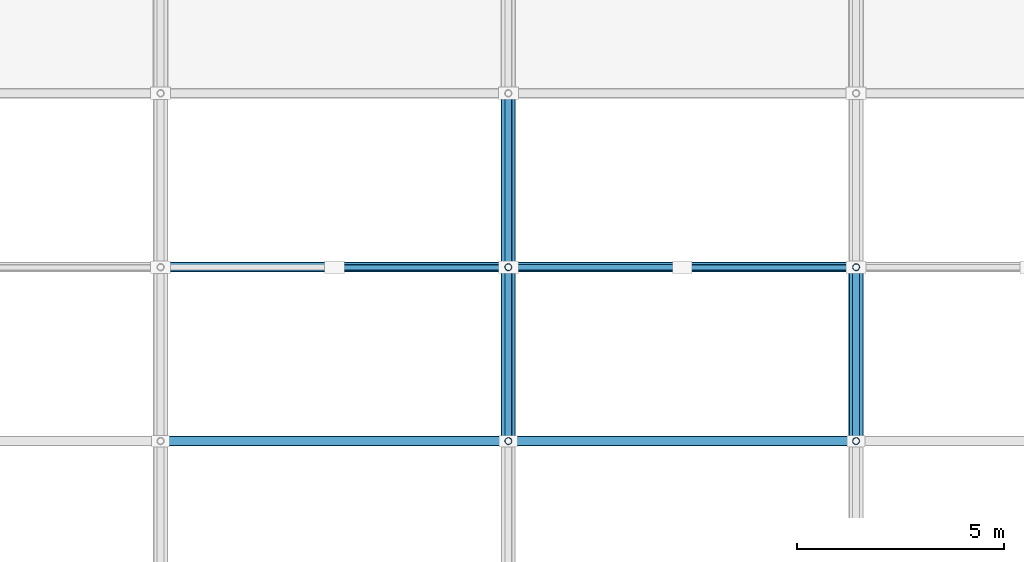
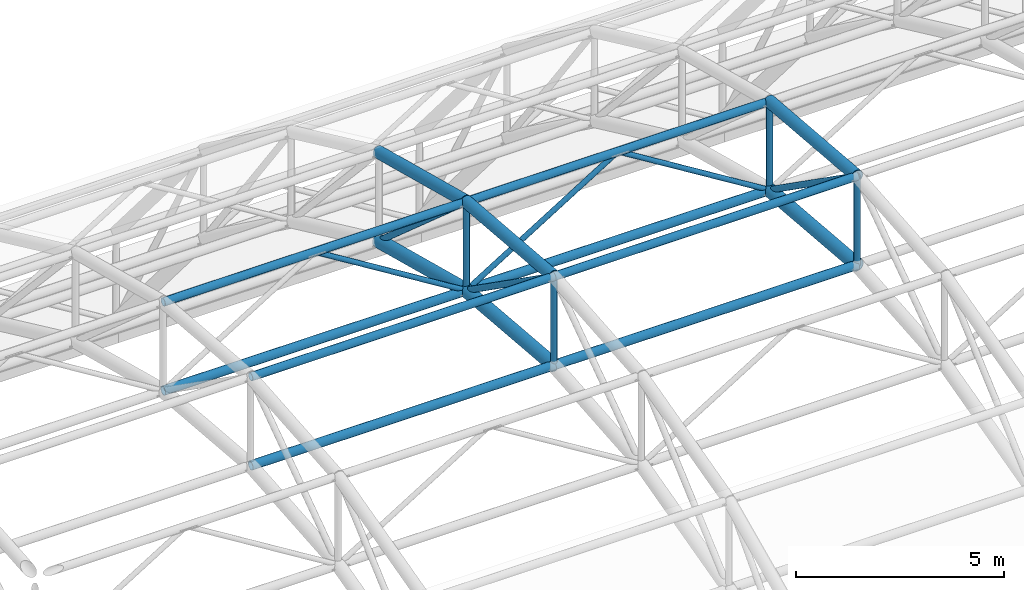
# One storey, part 37 of 103: 18 members, 6 beams.
"""IFC4 building model written with IfcOpenShell, lengths in metres."""

from ifc_helpers import new_model, si_unit, direction, frame, origin, origin_2d, place, context, subcontext, project, spatial, hollow_circle, extrude, material, material_profile, profile_set, type_object, element, save


model = new_model("IFC4")

# Units and contexts
model_context = context("Model", 3, precision=1e-05, world=origin(), true_north=direction((0.0, 1.0)))
body_context = subcontext(model_context, "Body", "Model", "MODEL_VIEW")
ifc_project = project(units=[si_unit("LENGTHUNIT", "METRE"), si_unit("AREAUNIT", "SQUARE_METRE"), si_unit("VOLUMEUNIT", "CUBIC_METRE"), si_unit("PLANEANGLEUNIT", "RADIAN"), si_unit("MASSUNIT", "GRAM", prefix="KILO")], contexts=[model_context])

# Site, building, storey
site_placement = place(None, origin())
site = spatial("IfcSite", under=ifc_project, at=site_placement, CompositionType="ELEMENT")
building_placement = place(site_placement, origin())
building = spatial("IfcBuilding", under=site, at=building_placement, Name="Varnapada Polytechnic", CompositionType="ELEMENT")
storey_placement = place(building_placement, frame((0.0, 0.0, 18.0)))
storey = spatial("IfcBuildingStorey", under=building, at=storey_placement, Name="L04", CompositionType="ELEMENT", Elevation=18.0)

# Members
ifc_material = material(Name="Steel S355", Category="steel")
ifc_material_profile_1 = material_profile(ifc_material, hollow_circle(Radius=0.122314453125, WallThickness=0.008056640625, at=origin_2d()), Name="CHS 244.5x8.0")
ifc_profile_set_1 = profile_set([ifc_material_profile_1], Name="Steel S355")
member_type_1 = type_object("IfcMemberType", Name="Vaulted space frame longitudinal bottom chord SFC-01 (CHS 244.5x8.0)", PredefinedType="CHORD", material=ifc_profile_set_1)
for number, where, z_axis, x_axis, name in (
    (1, (75.60009765625, 105.0, 11.435302734375), (1.0, 0.0, 0.0), (0.0, 1.0, 0.0), "Vaulted space frame longitudinal bottom chord 4.6"),
    (2, (75.60009765625, 109.199951171875, 11.080078125), (1.0, 0.0, 0.0), (0.0, 1.0, 0.0), "Vaulted space frame longitudinal bottom chord 4.7"),
    (3, (84.0, 105.0, 11.435302734375), (1.0, 0.0, 0.0), (0.0, 1.0, 0.0), "Vaulted space frame longitudinal bottom chord 5.6"),
    (4, (84.0, 109.199951171875, 11.080078125), (1.0, 0.0, 0.0), (0.0, 1.0, 0.0), "Vaulted space frame longitudinal bottom chord 5.7"),
):
    element("IfcMember", number, at=place(storey_placement, frame(where, z_axis=z_axis, x_axis=x_axis)), inside=storey, type_object=member_type_1, Name=name, PredefinedType="CHORD", context=body_context, shape_type="SweptSolid", body=[
        extrude(hollow_circle(Radius=0.122314453125, WallThickness=0.008056640625, at=origin_2d()), origin(), (0.0, 0.0, 1.0), 8.39990234375),
    ])
ifc_material_profile_2 = material_profile(ifc_material, hollow_circle(Radius=0.109619140625, WallThickness=0.008056640625, at=origin_2d()), Name="CHS 219.1x8.0")
ifc_profile_set_2 = profile_set([ifc_material_profile_2], Name="Steel S355")
member_type_2 = type_object("IfcMemberType", Name="Vaulted space frame longitudinal top chord SFC-02 (CHS 219.1x8.0)", PredefinedType="CHORD", material=ifc_profile_set_2)
for number, where, z_axis, x_axis, name in (
    (5, (75.60009765625, 105.0, 14.035400390625), (1.0, 0.0, 0.0), (0.0, 1.0, 0.0), "Vaulted space frame longitudinal top chord 4.6"),
    (6, (75.60009765625, 109.199951171875, 13.679931640625), (1.0, 0.0, 0.0), (0.0, 1.0, 0.0), "Vaulted space frame longitudinal top chord 4.7"),
    (7, (84.0, 105.0, 14.035400390625), (1.0, 0.0, 0.0), (0.0, 1.0, 0.0), "Vaulted space frame longitudinal top chord 5.6"),
    (8, (84.0, 109.199951171875, 13.679931640625), (1.0, 0.0, 0.0), (0.0, 1.0, 0.0), "Vaulted space frame longitudinal top chord 5.7"),
):
    element("IfcMember", number, at=place(storey_placement, frame(where, z_axis=z_axis, x_axis=x_axis)), inside=storey, type_object=member_type_2, Name=name, PredefinedType="CHORD", context=body_context, shape_type="SweptSolid", body=[
        extrude(hollow_circle(Radius=0.109619140625, WallThickness=0.008056640625, at=origin_2d()), origin(), (0.0, 0.0, 1.0), 8.39990234375),
    ])

# Beams
ifc_material_profile_3 = material_profile(ifc_material, hollow_circle(Radius=0.177734375, WallThickness=0.012451171875, at=origin_2d()), Name="CHS 355.6x12.5")
ifc_profile_set_3 = profile_set([ifc_material_profile_3], Name="Steel S355")
beam_type_1 = type_object("IfcBeamType", Name="Vaulted space frame primary arch rib VA-01 (CHS 355.6x12.5)", PredefinedType="BEAM", material=ifc_profile_set_3)
beam_1_placement = place(storey_placement, frame((84.0, 105.0, 11.435302734375), z_axis=(0.0, 0.99644233396, -0.084277369988), x_axis=(-1.0, 0.0, 0.0)))
element("IfcBeam", 9, at=beam_1_placement, inside=storey, type_object=beam_type_1, Name="Vaulted space frame bottom arch chord 5.6", PredefinedType="BEAM", context=body_context, shape_type="SweptSolid", body=[
    extrude(hollow_circle(Radius=0.177734375, WallThickness=0.012451171875, at=origin_2d()), origin(), (0.0, 0.0, 1.0), 4.21484375),
])
beam_2_placement = place(storey_placement, frame((84.0, 109.199951171875, 11.080078125), z_axis=(0.0, 0.967476176159, -0.252962148484), x_axis=(-1.0, 0.0, 0.0)))
element("IfcBeam", 10, at=beam_2_placement, inside=storey, type_object=beam_type_1, Name="Vaulted space frame bottom arch chord 5.7", PredefinedType="BEAM", context=body_context, shape_type="SweptSolid", body=[
    extrude(hollow_circle(Radius=0.177734375, WallThickness=0.012451171875, at=origin_2d()), origin(), (0.0, 0.0, 1.0), 4.341064453125),
])
beam_3_placement = place(storey_placement, frame((92.39990234375, 105.0, 11.435302734375), z_axis=(0.0, 0.99644233396, -0.084277369988), x_axis=(-1.0, 0.0, 0.0)))
element("IfcBeam", 11, at=beam_3_placement, inside=storey, type_object=beam_type_1, Name="Vaulted space frame bottom arch chord 6.6", PredefinedType="BEAM", context=body_context, shape_type="SweptSolid", body=[
    extrude(hollow_circle(Radius=0.177734375, WallThickness=0.012451171875, at=origin_2d()), origin(), (0.0, 0.0, 1.0), 4.21484375),
])

# Members
ifc_material_profile_4 = material_profile(ifc_material, hollow_circle(Radius=0.084228515625, WallThickness=0.00634765625, at=origin_2d()), Name="CHS 168.3x6.3")
ifc_profile_set_4 = profile_set([ifc_material_profile_4], Name="Steel S355")
member_type_3 = type_object("IfcMemberType", Name="Vaulted space frame primary web diagonal SFB-01 (CHS 168.3x6.3)", PredefinedType="BRACE", material=ifc_profile_set_4)
member_1_placement = place(storey_placement, frame((84.0, 105.0, 14.035400390625), z_axis=(0.0, 0.817824649693, -0.575467498956), x_axis=(-1.0, 0.0, 0.0)))
element("IfcMember", 12, at=member_1_placement, inside=storey, type_object=member_type_3, Name="Vaulted space frame web diagonal 5.6", PredefinedType="BRACE", context=body_context, shape_type="SweptSolid", body=[
    extrude(hollow_circle(Radius=0.084228515625, WallThickness=0.00634765625, at=origin_2d()), origin(), (0.0, 0.0, 1.0), 5.135498046875),
])
member_2_placement = place(storey_placement, frame((84.0, 109.199951171875, 13.679931640625), z_axis=(0.0, 0.750532603682, -0.660833421378), x_axis=(-1.0, 0.0, 0.0)))
element("IfcMember", 13, at=member_2_placement, inside=storey, type_object=member_type_3, Name="Vaulted space frame web diagonal 5.7", PredefinedType="BRACE", context=body_context, shape_type="SweptSolid", body=[
    extrude(hollow_circle(Radius=0.084228515625, WallThickness=0.00634765625, at=origin_2d()), origin(), (0.0, 0.0, 1.0), 5.595947265625),
])
member_3_placement = place(storey_placement, frame((92.39990234375, 105.0, 14.035400390625), z_axis=(0.0, 0.817824649693, -0.575467498956), x_axis=(-1.0, 0.0, 0.0)))
element("IfcMember", 14, at=member_3_placement, inside=storey, type_object=member_type_3, Name="Vaulted space frame web diagonal 6.6", PredefinedType="BRACE", context=body_context, shape_type="SweptSolid", body=[
    extrude(hollow_circle(Radius=0.084228515625, WallThickness=0.00634765625, at=origin_2d()), origin(), (0.0, 0.0, 1.0), 5.135498046875),
])
ifc_material_profile_5 = material_profile(ifc_material, hollow_circle(Radius=0.084228515625, WallThickness=0.00634765625, at=origin_2d()), Name="CHS 168.3x6.3")
ifc_profile_set_5 = profile_set([ifc_material_profile_5], Name="Steel S355")
member_type_4 = type_object("IfcMemberType", Name="Vaulted space frame radial web strut SFS-01 (CHS 168.3x6.3)", PredefinedType="STRUT", material=ifc_profile_set_5)
member_4_placement = place(storey_placement, frame((84.0, 105.0, 11.435302734375), z_axis=(0.0, 0.0, 1.0), x_axis=(1.0, 0.0, 0.0)))
element("IfcMember", 15, at=member_4_placement, inside=storey, type_object=member_type_4, Name="Vaulted space frame strut 5.6", PredefinedType="STRUT", context=body_context, shape_type="SweptSolid", body=[
    extrude(hollow_circle(Radius=0.084228515625, WallThickness=0.00634765625, at=origin_2d()), origin(), (0.0, 0.0, 1.0), 2.60009765625),
])
member_5_placement = place(storey_placement, frame((84.0, 109.199951171875, 11.080078125), z_axis=(0.0, 0.0, 1.0), x_axis=(1.0, 0.0, 0.0)))
element("IfcMember", 16, at=member_5_placement, inside=storey, type_object=member_type_4, Name="Vaulted space frame strut 5.7", PredefinedType="STRUT", context=body_context, shape_type="SweptSolid", body=[
    extrude(hollow_circle(Radius=0.084228515625, WallThickness=0.00634765625, at=origin_2d()), origin(), (0.0, 0.0, 1.0), 2.599853515625),
])
member_6_placement = place(storey_placement, frame((92.39990234375, 105.0, 11.435302734375), z_axis=(0.0, 0.0, 1.0), x_axis=(1.0, 0.0, 0.0)))
element("IfcMember", 17, at=member_6_placement, inside=storey, type_object=member_type_4, Name="Vaulted space frame strut 6.6", PredefinedType="STRUT", context=body_context, shape_type="SweptSolid", body=[
    extrude(hollow_circle(Radius=0.084228515625, WallThickness=0.00634765625, at=origin_2d()), origin(), (0.0, 0.0, 1.0), 2.60009765625),
])
member_7_placement = place(storey_placement, frame((92.39990234375, 109.199951171875, 11.080078125), z_axis=(0.0, 0.0, 1.0), x_axis=(1.0, 0.0, 0.0)))
element("IfcMember", 18, at=member_7_placement, inside=storey, type_object=member_type_4, Name="Vaulted space frame strut 6.7", PredefinedType="STRUT", context=body_context, shape_type="SweptSolid", body=[
    extrude(hollow_circle(Radius=0.084228515625, WallThickness=0.00634765625, at=origin_2d()), origin(), (0.0, 0.0, 1.0), 2.599853515625),
])
ifc_material_profile_6 = material_profile(ifc_material, hollow_circle(Radius=0.06982421875, WallThickness=0.0048828125, at=origin_2d()), Name="CHS 139.7x5.0")
ifc_profile_set_6 = profile_set([ifc_material_profile_6], Name="Steel S355")
member_type_5 = type_object("IfcMemberType", Name="Vaulted space frame secondary web diagonal SFB-02 (CHS 139.7x5.0)", PredefinedType="BRACE", material=ifc_profile_set_6)
for number, where, z_axis, x_axis, name in (
    (19, (84.0, 109.199951171875, 11.080078125), (-0.85027567993, 0.0, 0.526337598999), (0.0, -1.0, 0.0), "Vaulted space frame longitudinal brace 4.7B"),
    (20, (84.0, 109.199951171875, 11.080078125), (0.85027567993, 0.0, 0.526337598999), (0.0, 1.0, 0.0), "Vaulted space frame longitudinal brace 5.7A"),
    (21, (92.39990234375, 109.199951171875, 11.080078125), (-0.85027567993, 0.0, 0.526337598999), (0.0, -1.0, 0.0), "Vaulted space frame longitudinal brace 5.7B"),
):
    element("IfcMember", number, at=place(storey_placement, frame(where, z_axis=z_axis, x_axis=x_axis)), inside=storey, type_object=member_type_5, Name=name, PredefinedType="BRACE", context=body_context, shape_type="SweptSolid", body=[
        extrude(hollow_circle(Radius=0.06982421875, WallThickness=0.0048828125, at=origin_2d()), origin(), (0.0, 0.0, 1.0), 4.939453125),
    ])

# Beams
ifc_material_profile_7 = material_profile(ifc_material, hollow_circle(Radius=0.161865234375, WallThickness=0.010009765625, at=origin_2d()), Name="CHS 323.9x10.0")
ifc_profile_set_7 = profile_set([ifc_material_profile_7], Name="Steel S355")
beam_type_2 = type_object("IfcBeamType", Name="Vaulted space frame upper arch rib VA-02 (CHS 323.9x10.0)", PredefinedType="BEAM", material=ifc_profile_set_7)
beam_4_placement = place(storey_placement, frame((84.0, 105.0, 14.035400390625), z_axis=(0.0, 0.996437468128, -0.084334880753), x_axis=(-1.0, 0.0, 0.0)))
element("IfcBeam", 22, at=beam_4_placement, inside=storey, type_object=beam_type_2, Name="Vaulted space frame top arch chord 5.6", PredefinedType="BEAM", context=body_context, shape_type="SweptSolid", body=[
    extrude(hollow_circle(Radius=0.161865234375, WallThickness=0.010009765625, at=origin_2d()), origin(), (0.0, 0.0, 1.0), 4.215087890625),
])
beam_5_placement = place(storey_placement, frame((84.0, 109.199951171875, 13.679931640625), z_axis=(0.0, 0.967476176159, -0.252962148484), x_axis=(-1.0, 0.0, 0.0)))
element("IfcBeam", 23, at=beam_5_placement, inside=storey, type_object=beam_type_2, Name="Vaulted space frame top arch chord 5.7", PredefinedType="BEAM", context=body_context, shape_type="SweptSolid", body=[
    extrude(hollow_circle(Radius=0.161865234375, WallThickness=0.010009765625, at=origin_2d()), origin(), (0.0, 0.0, 1.0), 4.341064453125),
])
beam_6_placement = place(storey_placement, frame((92.39990234375, 105.0, 14.035400390625), z_axis=(0.0, 0.996437468128, -0.084334880753), x_axis=(-1.0, 0.0, 0.0)))
element("IfcBeam", 24, at=beam_6_placement, inside=storey, type_object=beam_type_2, Name="Vaulted space frame top arch chord 6.6", PredefinedType="BEAM", context=body_context, shape_type="SweptSolid", body=[
    extrude(hollow_circle(Radius=0.161865234375, WallThickness=0.010009765625, at=origin_2d()), origin(), (0.0, 0.0, 1.0), 4.215087890625),
])

save(model, "model.ifc")
